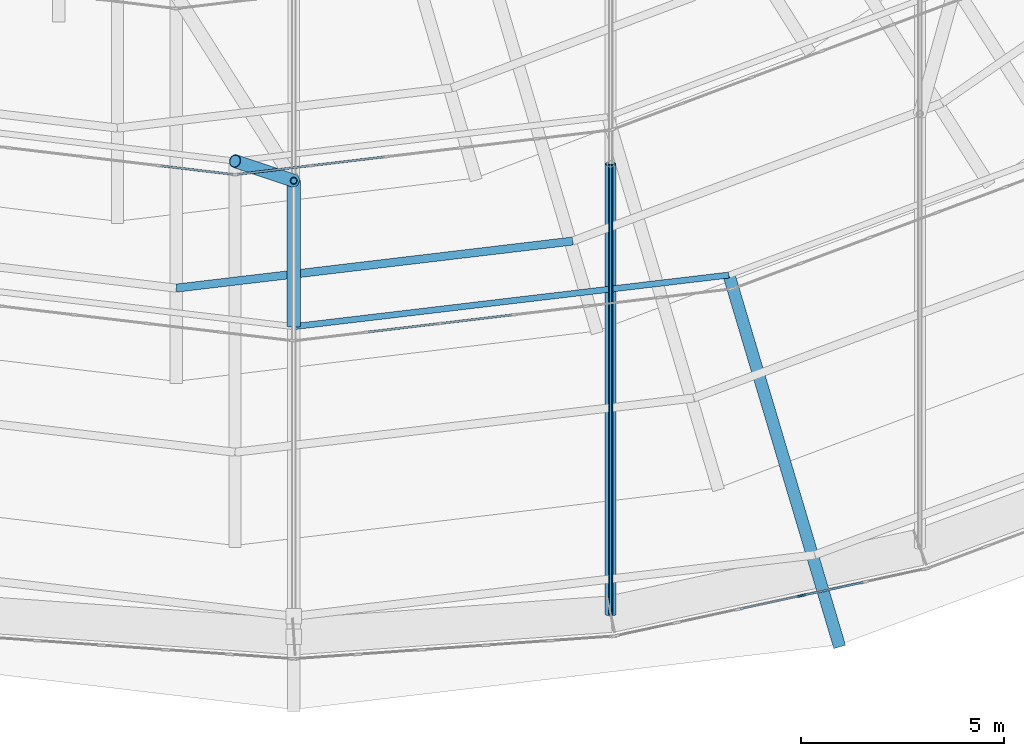
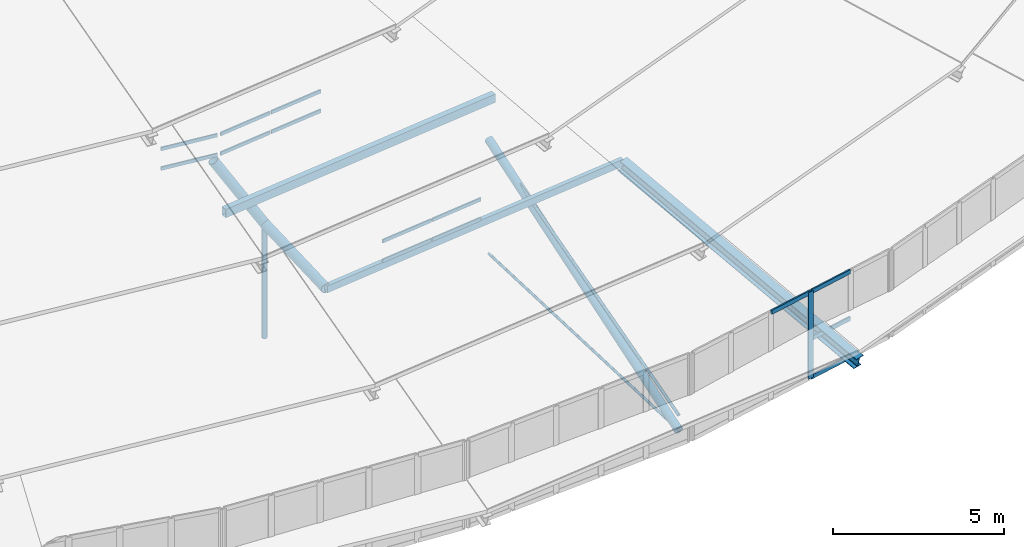
# One storey, part 14 of 173: 24 members, 4 elements without a shape of their own.
"""IFC4 building model written with IfcOpenShell, lengths in metres."""

from ifc_helpers import new_model, si_unit, direction, frame, origin, origin_2d, place, context, subcontext, project, spatial, rectangle, hollow_rectangle, circle, hollow_circle, i_section, extrude, material, material_profile, profile_set, type_object, element, aggregate, save


model = new_model("IFC4")

# Units and contexts
model_context = context("Model", 3, precision=1e-05, world=origin(), true_north=direction((0.0, 1.0)))
body_context = subcontext(model_context, "Body", "Model", "MODEL_VIEW")
ifc_project = project(units=[si_unit("LENGTHUNIT", "METRE"), si_unit("AREAUNIT", "SQUARE_METRE"), si_unit("VOLUMEUNIT", "CUBIC_METRE"), si_unit("PLANEANGLEUNIT", "RADIAN"), si_unit("MASSUNIT", "GRAM", prefix="KILO")], contexts=[model_context])

# Site, building, storey
site_placement = place(None, origin())
site = spatial("IfcSite", under=ifc_project, at=site_placement, CompositionType="ELEMENT")
building_placement = place(site_placement, origin())
building = spatial("IfcBuilding", under=site, at=building_placement, Name="Glasvene Arena", CompositionType="ELEMENT")
storey_placement = place(building_placement, frame((0.0, 0.0, 28.800048828125)))
storey = spatial("IfcBuildingStorey", under=building, at=storey_placement, Name="RF", CompositionType="ELEMENT", Elevation=28.800048828125)

# Curtain wall, member
ifc_material_1 = material(Name="Low-emissivity laminated double glazing", Category="glass")
curtain_wall_type_1 = type_object("IfcCurtainWallType", Name="CW-DRUM-789x310", PredefinedType="USERDEFINED", material=ifc_material_1)
curtain_wall_1_placement = place(storey_placement, frame((99.90771484375, 28.0107421875, 0.0)))
curtain_wall_1 = element("IfcCurtainWall", 1, at=curtain_wall_1_placement, inside=storey, type_object=curtain_wall_type_1, Name="Crown compression-ring fascia curtain wall 32", ObjectType="CURTAIN WALL", PredefinedType="USERDEFINED")
ifc_material_2 = material(Name="Anodised architectural aluminium", Category="aluminium")
ifc_material_profile_1 = material_profile(ifc_material_2, rectangle(XDim=0.050048828125, YDim=0.199951171875, at=origin_2d()), Name="ALU MULLION 50x200")
ifc_profile_set_1 = profile_set([ifc_material_profile_1], Name="Anodised architectural aluminium")
member_type_1 = type_object("IfcMemberType", Name="CW-MUL-180", PredefinedType="MULLION", material=ifc_profile_set_1)
member_1_placement = place(storey_placement, frame((104.53564453125, 29.011962890625, -1.380126953125), z_axis=(0.0, 0.0, 1.0), x_axis=(-0.211444690135, 0.977389964658, 0.0)))
member_1 = element("IfcMember", 2, at=member_1_placement, type_object=member_type_1, Name="CW-079 mullion 4", PredefinedType="MULLION", context=body_context, shape_type="SweptSolid", body=[
    extrude(rectangle(XDim=0.050048828125, YDim=0.199951171875, at=origin_2d()), origin(), (0.0, 0.0, 1.0), 3.10009765625),
])

# Curtain wall, members
curtain_wall_type_2 = type_object("IfcCurtainWallType", Name="CW-PET1-1091x75", PredefinedType="USERDEFINED", material=ifc_material_1)
curtain_wall_2_placement = place(storey_placement, frame((92.0, 35.300048828125, 0.0)))
curtain_wall_2 = element("IfcCurtainWall", 3, at=curtain_wall_2_placement, inside=storey, type_object=curtain_wall_type_2, Name="Petal ring 1-2 clerestory curtain wall 19", ObjectType="CURTAIN WALL", PredefinedType="USERDEFINED")
ifc_material_profile_2 = material_profile(ifc_material_2, rectangle(XDim=0.050048828125, YDim=0.1201171875, at=origin_2d()), Name="ALU TRANSOM 50x120")
ifc_profile_set_2 = profile_set([ifc_material_profile_2], Name="Anodised architectural aluminium")
member_type_2 = type_object("IfcMemberType", Name="CW-TRN-120", PredefinedType="USERDEFINED", material=ifc_profile_set_2)
member_2_placement = place(storey_placement, frame((93.830078125, 35.51708984375, 2.60498046875), z_axis=(0.993037974268, 0.117794658886, 0.0), x_axis=(-0.117794658886, 0.993037974268, 0.0)))
member_2 = element("IfcMember", 4, at=member_2_placement, type_object=member_type_2, Name="CW-086 transom 2.1", ObjectType="TRANSOM", PredefinedType="USERDEFINED", context=body_context, shape_type="SweptSolid", body=[
    extrude(rectangle(XDim=0.050048828125, YDim=0.1201171875, at=origin_2d()), origin(), (0.0, 0.0, 1.0), 1.767822265625),
])
member_3_placement = place(storey_placement, frame((93.830078125, 35.51708984375, 3.304931640625), z_axis=(0.993037974268, 0.117794658886, 0.0), x_axis=(-0.117794658886, 0.993037974268, 0.0)))
member_3 = element("IfcMember", 5, at=member_3_placement, type_object=member_type_2, Name="CW-086 transom 2.2", ObjectType="TRANSOM", PredefinedType="USERDEFINED", context=body_context, shape_type="SweptSolid", body=[
    extrude(rectangle(XDim=0.050048828125, YDim=0.1201171875, at=origin_2d()), origin(), (0.0, 0.0, 1.0), 1.767822265625),
])
member_4_placement = place(storey_placement, frame((95.63525390625, 35.731201171875, 2.60498046875), z_axis=(0.993037974268, 0.117794658886, 0.0), x_axis=(-0.117794658886, 0.993037974268, 0.0)))
member_4 = element("IfcMember", 6, at=member_4_placement, type_object=member_type_2, Name="CW-086 transom 3.1", ObjectType="TRANSOM", PredefinedType="USERDEFINED", context=body_context, shape_type="SweptSolid", body=[
    extrude(rectangle(XDim=0.050048828125, YDim=0.1201171875, at=origin_2d()), origin(), (0.0, 0.0, 1.0), 1.767822265625),
])
member_5_placement = place(storey_placement, frame((95.63525390625, 35.731201171875, 3.304931640625), z_axis=(0.993037974268, 0.117794658886, 0.0), x_axis=(-0.117794658886, 0.993037974268, 0.0)))
member_5 = element("IfcMember", 7, at=member_5_placement, type_object=member_type_2, Name="CW-086 transom 3.2", ObjectType="TRANSOM", PredefinedType="USERDEFINED", context=body_context, shape_type="SweptSolid", body=[
    extrude(rectangle(XDim=0.050048828125, YDim=0.1201171875, at=origin_2d()), origin(), (0.0, 0.0, 1.0), 1.767822265625),
])
aggregate(curtain_wall_2, [member_2, member_3, member_4, member_5])

curtain_wall_type_3 = type_object("IfcCurtainWallType", Name="CW-PET2-936x75", PredefinedType="USERDEFINED", material=ifc_material_1)
curtain_wall_3_placement = place(storey_placement, frame((81.25830078125, 40.505615234375, 0.0)))
curtain_wall_3 = element("IfcCurtainWall", 8, at=curtain_wall_3_placement, inside=storey, type_object=curtain_wall_type_3, Name="Petal ring 2-3 clerestory curtain wall 18", ObjectType="CURTAIN WALL", PredefinedType="USERDEFINED")
member_6_placement = place(storey_placement, frame((88.716552734375, 39.6181640625, 5.204833984375), z_axis=(0.993000424629, -0.118110781413, 0.0), x_axis=(0.118110781413, 0.993000424629, 0.0)))
member_6 = element("IfcMember", 9, at=member_6_placement, type_object=member_type_2, Name="CW-092 transom 5.1", ObjectType="TRANSOM", PredefinedType="USERDEFINED", context=body_context, shape_type="SweptSolid", body=[
    extrude(rectangle(XDim=0.050048828125, YDim=0.1201171875, at=origin_2d()), origin(), (0.0, 0.0, 1.0), 1.796142578125),
])
member_7_placement = place(storey_placement, frame((88.716552734375, 39.6181640625, 5.905029296875), z_axis=(0.993000424629, -0.118110781413, 0.0), x_axis=(0.118110781413, 0.993000424629, 0.0)))
member_7 = element("IfcMember", 10, at=member_7_placement, type_object=member_type_2, Name="CW-092 transom 5.2", ObjectType="TRANSOM", PredefinedType="USERDEFINED", context=body_context, shape_type="SweptSolid", body=[
    extrude(rectangle(XDim=0.050048828125, YDim=0.1201171875, at=origin_2d()), origin(), (0.0, 0.0, 1.0), 1.796142578125),
])
aggregate(curtain_wall_3, [member_6, member_7])

curtain_wall_4_placement = place(storey_placement, frame((90.550048828125, 39.39990234375, 0.0)))
curtain_wall_4 = element("IfcCurtainWall", 11, at=curtain_wall_4_placement, inside=storey, type_object=curtain_wall_type_3, Name="Petal ring 2-3 clerestory curtain wall 19", ObjectType="CURTAIN WALL", PredefinedType="USERDEFINED")
member_8_placement = place(storey_placement, frame((90.599609375, 39.406005859375, 5.204833984375), z_axis=(0.993002320291, 0.118094842799, 0.0), x_axis=(-0.118094842799, 0.993002320291, 0.0)))
member_8 = element("IfcMember", 12, at=member_8_placement, type_object=member_type_2, Name="CW-092 transom 1.1", ObjectType="TRANSOM", PredefinedType="USERDEFINED", context=body_context, shape_type="SweptSolid", body=[
    extrude(rectangle(XDim=0.050048828125, YDim=0.1201171875, at=origin_2d()), origin(), (0.0, 0.0, 1.0), 1.79638671875),
])
member_9_placement = place(storey_placement, frame((90.599609375, 39.406005859375, 5.905029296875), z_axis=(0.993002320291, 0.118094842799, 0.0), x_axis=(-0.118094842799, 0.993002320291, 0.0)))
member_9 = element("IfcMember", 13, at=member_9_placement, type_object=member_type_2, Name="CW-092 transom 1.2", ObjectType="TRANSOM", PredefinedType="USERDEFINED", context=body_context, shape_type="SweptSolid", body=[
    extrude(rectangle(XDim=0.050048828125, YDim=0.1201171875, at=origin_2d()), origin(), (0.0, 0.0, 1.0), 1.79638671875),
])
member_10_placement = place(storey_placement, frame((92.43310546875, 39.6240234375, 5.204833984375), z_axis=(0.992986775597, 0.118225477332, 0.0), x_axis=(-0.118225477332, 0.992986775597, 0.0)))
member_10 = element("IfcMember", 14, at=member_10_placement, type_object=member_type_2, Name="CW-092 transom 2.1", ObjectType="TRANSOM", PredefinedType="USERDEFINED", context=body_context, shape_type="SweptSolid", body=[
    extrude(rectangle(XDim=0.050048828125, YDim=0.1201171875, at=origin_2d()), origin(), (0.0, 0.0, 1.0), 1.8212890625),
])
member_11_placement = place(storey_placement, frame((92.43310546875, 39.6240234375, 5.905029296875), z_axis=(0.992986775597, 0.118225477332, 0.0), x_axis=(-0.118225477332, 0.992986775597, 0.0)))
member_11 = element("IfcMember", 15, at=member_11_placement, type_object=member_type_2, Name="CW-092 transom 2.2", ObjectType="TRANSOM", PredefinedType="USERDEFINED", context=body_context, shape_type="SweptSolid", body=[
    extrude(rectangle(XDim=0.050048828125, YDim=0.1201171875, at=origin_2d()), origin(), (0.0, 0.0, 1.0), 1.8212890625),
])
aggregate(curtain_wall_4, [member_8, member_9, member_10, member_11])

# Member
ifc_material_profile_3 = material_profile(ifc_material_2, rectangle(XDim=0.050048828125, YDim=0.14990234375, at=origin_2d()), Name="ALU TRANSOM 50x150")
ifc_profile_set_3 = profile_set([ifc_material_profile_3], Name="Anodised architectural aluminium")
member_type_3 = type_object("IfcMemberType", Name="CW-TRN-150", PredefinedType="USERDEFINED", material=ifc_profile_set_3)
member_12_placement = place(storey_placement, frame((103.017333984375, 28.68359375, 1.695068359375), z_axis=(0.97741505718, 0.211328668189, 0.0), x_axis=(-0.211328668189, 0.97741505718, 0.0)))
member_12 = element("IfcMember", 16, at=member_12_placement, type_object=member_type_3, Name="CW-079 transom 3.3", ObjectType="TRANSOM", PredefinedType="USERDEFINED", context=body_context, shape_type="SweptSolid", body=[
    extrude(rectangle(XDim=0.050048828125, YDim=0.14990234375, at=origin_2d()), origin(), (0.0, 0.0, 1.0), 1.5283203125),
])

member_13_placement = place(storey_placement, frame((104.56005859375, 29.017333984375, -1.35498046875), z_axis=(0.977407921799, 0.2113616673, 0.0), x_axis=(-0.2113616673, 0.977407921799, 0.0)))
member_13 = element("IfcMember", 17, at=member_13_placement, type_object=member_type_3, Name="CW-079 transom 4.1", ObjectType="TRANSOM", PredefinedType="USERDEFINED", context=body_context, shape_type="SweptSolid", body=[
    extrude(rectangle(XDim=0.050048828125, YDim=0.14990234375, at=origin_2d()), origin(), (0.0, 0.0, 1.0), 1.528076171875),
])

member_14_placement = place(storey_placement, frame((104.56005859375, 29.017333984375, 0.02001953125), z_axis=(0.977407921799, 0.2113616673, 0.0), x_axis=(-0.2113616673, 0.977407921799, 0.0)))
member_14 = element("IfcMember", 18, at=member_14_placement, type_object=member_type_3, Name="CW-079 transom 4.2", ObjectType="TRANSOM", PredefinedType="USERDEFINED", context=body_context, shape_type="SweptSolid", body=[
    extrude(rectangle(XDim=0.050048828125, YDim=0.14990234375, at=origin_2d()), origin(), (0.0, 0.0, 1.0), 1.528076171875),
])

member_15_placement = place(storey_placement, frame((104.56005859375, 29.017333984375, 1.695068359375), z_axis=(0.977407921799, 0.2113616673, 0.0), x_axis=(-0.2113616673, 0.977407921799, 0.0)))
member_15 = element("IfcMember", 19, at=member_15_placement, type_object=member_type_3, Name="CW-079 transom 4.3", ObjectType="TRANSOM", PredefinedType="USERDEFINED", context=body_context, shape_type="SweptSolid", body=[
    extrude(rectangle(XDim=0.050048828125, YDim=0.14990234375, at=origin_2d()), origin(), (0.0, 0.0, 1.0), 1.528076171875),
])

aggregate(curtain_wall_1, [member_1, member_12, member_13, member_14, member_15])

# Members
ifc_material_3 = material(Name="High-strength steel spiral strand S460", Category="steel")
ifc_material_profile_4 = material_profile(ifc_material_3, circle(Radius=0.052490234375, at=origin_2d()), Name="LCSS D105")
ifc_profile_set_4 = profile_set([ifc_material_profile_4], Name="High-strength steel spiral strand S460")
member_type_4 = type_object("IfcMemberType", Name="MB-CABLE-105", PredefinedType="USERDEFINED", material=ifc_profile_set_4)
member_16_placement = place(storey_placement, frame((99.82177734375, 28.553955078125, -0.780029296875), z_axis=(0.0, 0.963016961831, 0.269440774986), x_axis=(-1.0, 0.0, 0.0)))
element("IfcMember", 20, at=member_16_placement, inside=storey, type_object=member_type_4, Name="Upper lens roof cable NS04-01", ObjectType="ROOF CABLE", PredefinedType="USERDEFINED", context=body_context, shape_type="SweptSolid", body=[
    extrude(circle(Radius=0.052490234375, at=origin_2d()), origin(), (0.0, 0.0, 1.0), 11.538330078125),
])
ifc_material_profile_5 = material_profile(ifc_material_3, circle(Radius=0.044921875, at=origin_2d()), Name="LCSS D90")
ifc_profile_set_5 = profile_set([ifc_material_profile_5], Name="High-strength steel spiral strand S460")
member_type_5 = type_object("IfcMemberType", Name="MB-CABLE-90", PredefinedType="USERDEFINED", material=ifc_profile_set_5)
member_17_placement = place(storey_placement, frame((99.82177734375, 28.553955078125, -1.320068359375), z_axis=(0.0, 0.99924122713, -0.0389482991), x_axis=(-1.0, 0.0, 0.0)))
element("IfcMember", 21, at=member_17_placement, inside=storey, type_object=member_type_5, Name="Lower stabilization roof cable NS04-01", ObjectType="ROOF CABLE", PredefinedType="USERDEFINED", context=body_context, shape_type="SweptSolid", body=[
    extrude(circle(Radius=0.044921875, at=origin_2d()), origin(), (0.0, 0.0, 1.0), 11.1201171875),
])
ifc_material_4 = material(Name="Steel S355J2", Category="steel")
ifc_material_profile_6 = material_profile(ifc_material_4, i_section(OverallWidth=0.300048828125, OverallDepth=0.39990234375, WebThickness=0.013427734375, FlangeThickness=0.02392578125, FilletRadius=0.027099609375, at=origin_2d()), Name="HEB 400")
ifc_profile_set_6 = profile_set([ifc_material_profile_6], Name="Steel S355J2")
member_type_6 = type_object("IfcMemberType", Name="MB-CHORD-HEB400", PredefinedType="CHORD", material=ifc_profile_set_6)
member_18_placement = place(storey_placement, frame((105.45849609375, 27.794677734375, -0.400146484375), z_axis=(-0.275988649675, 0.927020360618, 0.253896664511), x_axis=(-0.958426710374, -0.28533881762, 0.0)))
element("IfcMember", 22, at=member_18_placement, inside=storey, type_object=member_type_6, Name="Petal ring 1 radial rib 20", PredefinedType="CHORD", context=body_context, shape_type="SweptSolid", body=[
    extrude(i_section(OverallWidth=0.300048828125, OverallDepth=0.39990234375, WebThickness=0.013427734375, FlangeThickness=0.02392578125, FilletRadius=0.027099609375, at=origin_2d()), origin(), (0.0, 0.0, 1.0), 9.846435546875),
])
ifc_material_profile_7 = material_profile(ifc_material_4, hollow_circle(Radius=0.161865234375, WallThickness=0.01611328125, at=origin_2d()), Name="CHS 323.9x16.0")
ifc_profile_set_7 = profile_set([ifc_material_profile_7], Name="Steel S355J2")
member_type_7 = type_object("IfcMemberType", Name="MB-POST-CHS324", PredefinedType="BRACE", material=ifc_profile_set_7)
member_19_placement = place(storey_placement, frame((92.0, 39.25, 2.328857421875), z_axis=(0.0, -0.999167714978, -0.04079065268), x_axis=(1.0, 0.0, 0.0)))
element("IfcMember", 23, at=member_19_placement, inside=storey, type_object=member_type_7, Name="Petal ring 1 ridge support post 19", PredefinedType="BRACE", context=body_context, shape_type="SweptSolid", body=[
    extrude(hollow_circle(Radius=0.161865234375, WallThickness=0.01611328125, at=origin_2d()), origin(), (0.0, 0.0, 1.0), 3.60302734375),
])
member_20_placement = place(storey_placement, frame((92.0, 39.25, 2.328857421875), z_axis=(-0.50160371175, 0.16790506465, 0.848646926362), x_axis=(-0.317425043162, -0.948283365864, 0.0)))
element("IfcMember", 24, at=member_20_placement, inside=storey, type_object=member_type_7, Name="Petal ring 2 ridge support post 19", PredefinedType="BRACE", context=body_context, shape_type="SweptSolid", body=[
    extrude(hollow_circle(Radius=0.161865234375, WallThickness=0.01611328125, at=origin_2d()), origin(), (0.0, 0.0, 1.0), 2.890625),
])
ifc_material_profile_8 = material_profile(ifc_material_4, hollow_rectangle(XDim=0.14990234375, YDim=0.25, WallThickness=0.010009765625, at=origin_2d()), Name="RHS 250x150x10.0")
ifc_profile_set_8 = profile_set([ifc_material_profile_8], Name="Steel S355J2")
member_type_8 = type_object("IfcMemberType", Name="MB-PURLIN-RHS250", PredefinedType="PURLIN", material=ifc_profile_set_8)
member_21_placement = place(storey_placement, frame((92.0, 35.64990234375, 2.181884765625), z_axis=(0.993053039343, 0.117667587092, 0.0), x_axis=(-0.117667587092, 0.993053039343, 0.0)))
element("IfcMember", 25, at=member_21_placement, inside=storey, type_object=member_type_8, Name="Petal ring 1 ridge purlin 19", PredefinedType="PURLIN", context=body_context, shape_type="SweptSolid", body=[
    extrude(hollow_rectangle(XDim=0.14990234375, YDim=0.25, WallThickness=0.010009765625, at=origin_2d()), origin(), (0.0, 0.0, 1.0), 10.816162109375),
])
ifc_material_profile_9 = material_profile(ifc_material_4, hollow_rectangle(XDim=0.199951171875, YDim=0.300048828125, WallThickness=0.012451171875, at=origin_2d()), Name="RHS 300x200x12.5")
ifc_profile_set_9 = profile_set([ifc_material_profile_9], Name="Steel S355J2")
member_type_9 = type_object("IfcMemberType", Name="MB-PURLIN-RHS300", PredefinedType="PURLIN", material=ifc_profile_set_9)
member_22_placement = place(storey_placement, frame((89.10009765625, 36.60009765625, 5.33935546875), z_axis=(0.993021617526, 0.117932468502, 0.0), x_axis=(-0.117932468502, 0.993021617526, 0.0)))
element("IfcMember", 26, at=member_22_placement, inside=storey, type_object=member_type_9, Name="Petal ring 3 outer purlin 19", PredefinedType="PURLIN", context=body_context, shape_type="SweptSolid", body=[
    extrude(hollow_rectangle(XDim=0.199951171875, YDim=0.300048828125, WallThickness=0.012451171875, at=origin_2d()), origin(), (0.0, 0.0, 1.0), 9.85205078125),
])
ifc_material_profile_10 = material_profile(ifc_material_4, hollow_circle(Radius=0.084228515625, WallThickness=0.008056640625, at=origin_2d()), Name="CHS 168.3x8.0")
ifc_profile_set_10 = profile_set([ifc_material_profile_10], Name="Steel S355J2")
member_type_10 = type_object("IfcMemberType", Name="MB-WEB-CHS168", PredefinedType="BRACE", material=ifc_profile_set_10)
member_23_placement = place(storey_placement, frame((92.0, 39.25, -1.753173828125), z_axis=(0.0, 0.0, 1.0), x_axis=(1.0, 0.0, 0.0)))
element("IfcMember", 27, at=member_23_placement, inside=storey, type_object=member_type_10, Name="Cable-truss vertical strut NS05-01", PredefinedType="BRACE", context=body_context, shape_type="SweptSolid", body=[
    extrude(hollow_circle(Radius=0.084228515625, WallThickness=0.008056640625, at=origin_2d()), origin(), (0.0, 0.0, 1.0), 4.08203125),
])
ifc_material_profile_11 = material_profile(ifc_material_4, hollow_circle(Radius=0.136474609375, WallThickness=0.012451171875, at=origin_2d()), Name="CHS 273.0x12.5")
ifc_profile_set_11 = profile_set([ifc_material_profile_11], Name="Steel S355J2")
member_type_11 = type_object("IfcMemberType", Name="MB-WEB-CHS273", PredefinedType="BRACE", material=ifc_profile_set_11)
member_24_placement = place(storey_placement, frame((99.82177734375, 28.553955078125, -1.320068359375), z_axis=(0.0, 0.950082941287, 0.311997443378), x_axis=(-1.0, 0.0, 0.0)))
element("IfcMember", 28, at=member_24_placement, inside=storey, type_object=member_type_11, Name="Cable-truss diagonal web strut NS04-01", PredefinedType="BRACE", context=body_context, shape_type="SweptSolid", body=[
    extrude(hollow_circle(Radius=0.136474609375, WallThickness=0.012451171875, at=origin_2d()), origin(), (0.0, 0.0, 1.0), 11.6953125),
])

save(model, "model.ifc")
